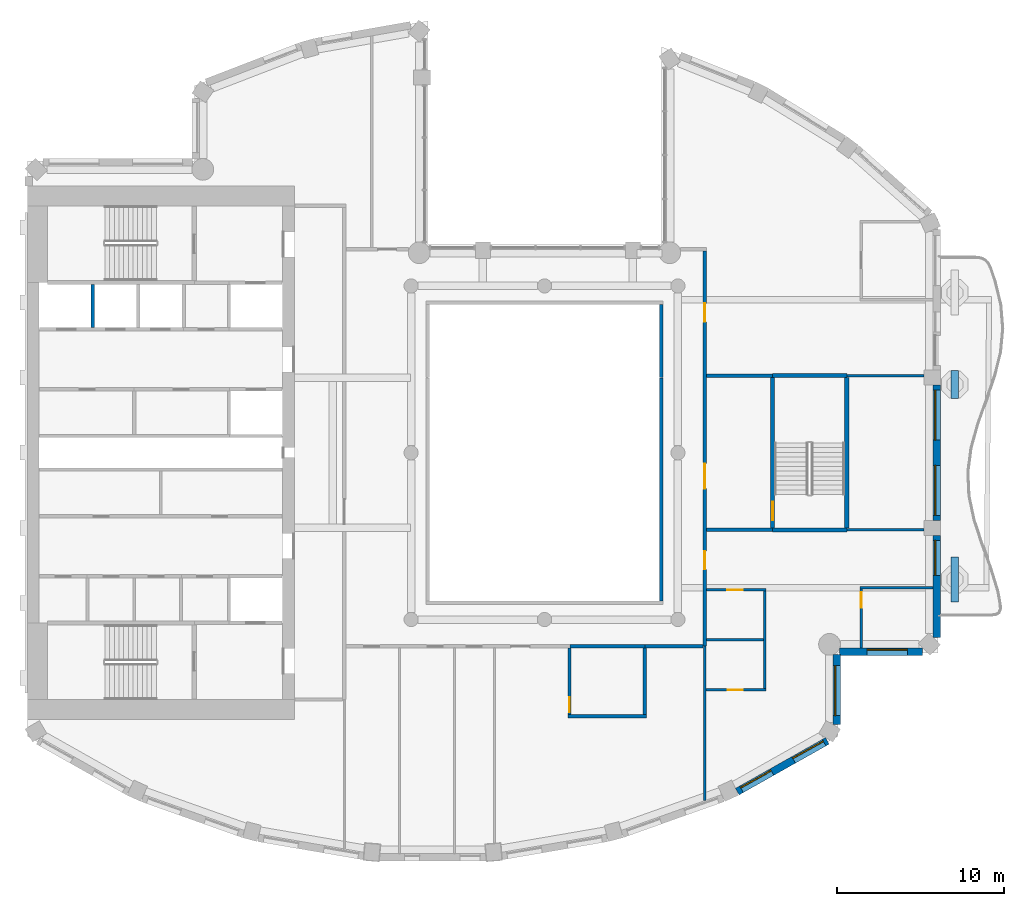
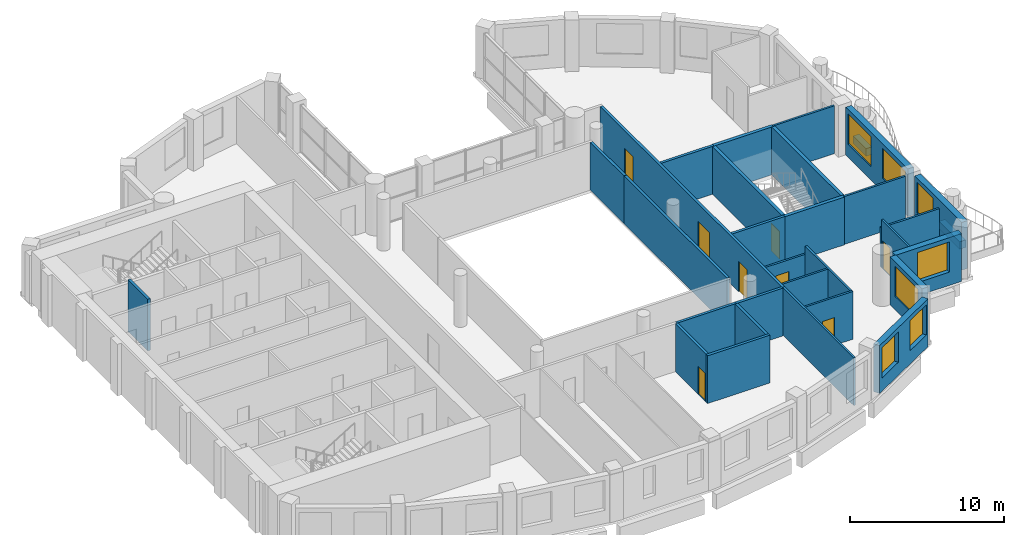
# One storey, part 6 of 14: 31 walls, 8 doors, 7 windows, 15 openings.
"""IFC4 building model written with IfcOpenShell, lengths in metres."""

from ifc_helpers import new_model, si_unit, direction, frame, frame_2d, origin, place, context, subcontext, project, spatial, rectangle, extrude, material, layer, layer_set, type_object, element, fill, save


model = new_model("IFC4")

# Units and contexts
model_context = context("Model", 3, precision=1e-05, world=origin(), true_north=direction((0.0, 1.0)))
body_context = subcontext(model_context, "Body", "Model", "MODEL_VIEW")
ifc_project = project(units=[si_unit("LENGTHUNIT", "METRE"), si_unit("AREAUNIT", "SQUARE_METRE"), si_unit("VOLUMEUNIT", "CUBIC_METRE"), si_unit("PLANEANGLEUNIT", "RADIAN"), si_unit("MASSUNIT", "GRAM", prefix="KILO")], contexts=[model_context])

# Site, building, storey
site_placement = place(None, origin())
site = spatial("IfcSite", under=ifc_project, at=site_placement, CompositionType="ELEMENT")
building_placement = place(site_placement, origin())
building = spatial("IfcBuilding", under=site, at=building_placement, Name="Cypress Arch Tower", CompositionType="ELEMENT")
storey_placement = place(building_placement, frame((0.0, 0.0, 296.699951171875)))
storey = spatial("IfcBuildingStorey", under=building, at=storey_placement, Name="L67", CompositionType="ELEMENT", Elevation=296.699951171875)

# Walls
ifc_material_1 = material(Name="Concrete C40/50, waterproofed", Category="concrete")
ifc_layer_1 = layer(ifc_material_1, 0.449951171875)
ifc_layer_set_1 = layer_set([ifc_layer_1], Name="Balcony planter wall PW450")
wall_type_1 = type_object("IfcWallType", Name="Balcony planter wall PW450", PredefinedType="SOLIDWALL", material=ifc_layer_set_1)
wall_1_placement = place(storey_placement, frame((25.60009765625, -8.949951171875, 0.0), z_axis=(0.0, 0.0, 1.0), x_axis=(0.0, 1.0, 0.0)))
element("IfcWall", 1, at=wall_1_placement, inside=storey, type_object=wall_type_1, Name="Balcony planter wall L67-C17.1", PredefinedType="SOLIDWALL", context=body_context, shape_type="SweptSolid", body=[
    extrude(rectangle(XDim=2.699951171875, YDim=0.449951171875, at=frame_2d((1.35009765625, 0.0))), origin(), (0.0, 0.0, 1.0), 0.60009765625),
])
wall_2_placement = place(storey_placement, frame((25.60009765625, 3.25, 0.0), z_axis=(0.0, 0.0, 1.0), x_axis=(0.0, 1.0, 0.0)))
element("IfcWall", 2, at=wall_2_placement, inside=storey, type_object=wall_type_1, Name="Balcony planter wall L67-C17.2", PredefinedType="SOLIDWALL", context=body_context, shape_type="SweptSolid", body=[
    extrude(rectangle(XDim=1.69140625, YDim=0.449951171875, at=frame_2d((0.845703125, 0.0))), origin(), (0.0, 0.0, 1.0), 0.60009765625),
])

# Wall, openings, windows
ifc_material_2 = material(Name="Brick (red buff blend)", Category="masonry")
ifc_layer_2 = layer(ifc_material_2, 0.449951171875)
ifc_layer_set_2 = layer_set([ifc_layer_2], Name="Brick pier and spandrel wall BW450")
wall_type_2 = type_object("IfcWallType", Name="Brick pier and spandrel wall BW450", PredefinedType="SOLIDWALL", material=ifc_layer_set_2)
wall_3_placement = place(storey_placement, frame((12.55908203125, -20.320068359375, 0.0), z_axis=(0.0, 0.0, 1.0), x_axis=(0.871065783524, 0.491166367714, 0.0)))
wall_3 = element("IfcWall", 3, at=wall_3_placement, inside=storey, type_object=wall_type_2, Name="Brick wall L67 C14.0", PredefinedType="SOLIDWALL", context=body_context, shape_type="SweptSolid", body=[
    extrude(rectangle(XDim=6.1962890625, YDim=0.449951171875, at=frame_2d((3.09814453125, 0.0))), origin(), (0.0, 0.0, 1.0), 3.800048828125),
])
opening_1_placement = place(wall_3_placement, frame((0.29052734375, 0.0, 1.050048828125)))
opening_1 = element("IfcOpeningElement", 4, at=opening_1_placement, cuts=wall_3, Name="Opening W210O", PredefinedType="OPENING", context=body_context, shape_type="SweptSolid", body=[
    extrude(rectangle(XDim=2.10009765625, YDim=2.39990234375, at=frame_2d((1.050048828125, 1.199951171875))), frame((0.0, 0.23486328125, 0.0), z_axis=(0.0, -1.0, 0.0), x_axis=(1.0, 0.0, 0.0)), (0.0, 0.0, 1.0), 0.469970703125),
])
opening_2_placement = place(wall_3_placement, frame((3.875244140625, 0.0, 1.050048828125)))
opening_2 = element("IfcOpeningElement", 5, at=opening_2_placement, cuts=wall_3, Name="Opening W210O", PredefinedType="OPENING", context=body_context, shape_type="SweptSolid", body=[
    extrude(rectangle(XDim=2.10009765625, YDim=2.39990234375, at=frame_2d((1.050048828125, 1.199951171875))), frame((0.0, 0.23486328125, 0.0), z_axis=(0.0, -1.0, 0.0), x_axis=(1.0, 0.0, 0.0)), (0.0, 0.0, 1.0), 0.469970703125),
])
ifc_material_3 = material(Name="Anodised aluminium, bronze finish, clear low-emissivity double glazing", Category="aluminium")
window_type_1 = type_object("IfcWindowType", Name="Window Office 2100x2400", PartitioningType="SINGLE_PANEL", PredefinedType="WINDOW", material=ifc_material_3)
window_1_placement = place(opening_1_placement, origin())
window_1 = element("IfcWindow", 6, at=window_1_placement, inside=storey, type_object=window_type_1, Name="Window L67 C14.0.1", OverallHeight=2.39990234375, OverallWidth=2.10009765625, PartitioningType="SINGLE_PANEL", PredefinedType="WINDOW", context=body_context, shape_type="SweptSolid", body=[
    extrude(rectangle(XDim=2.10009765625, YDim=2.39990234375, at=frame_2d((1.050048828125, 1.199951171875))), frame((0.0, 0.135009765625, 0.0), z_axis=(0.0, -1.0, 0.0), x_axis=(1.0, 0.0, 0.0)), (0.0, 0.0, 1.0), 0.06005859375),
])
fill(opening_1, window_1)
window_2_placement = place(opening_2_placement, origin())
window_2 = element("IfcWindow", 7, at=window_2_placement, inside=storey, type_object=window_type_1, Name="Window L67 C14.0.2", OverallHeight=2.39990234375, OverallWidth=2.10009765625, PartitioningType="SINGLE_PANEL", PredefinedType="WINDOW", context=body_context, shape_type="SweptSolid", body=[
    extrude(rectangle(XDim=2.10009765625, YDim=2.39990234375, at=frame_2d((1.050048828125, 1.199951171875))), frame((0.0, 0.135009765625, 0.0), z_axis=(0.0, -1.0, 0.0), x_axis=(1.0, 0.0, 0.0)), (0.0, 0.0, 1.0), 0.06005859375),
])
fill(opening_2, window_2)

# Wall, opening, window
wall_4_placement = place(storey_placement, frame((18.52490234375, -16.3037109375, 0.0), z_axis=(0.0, 0.0, 1.0), x_axis=(0.0, 1.0, 0.0)))
wall_4 = element("IfcWall", 8, at=wall_4_placement, inside=storey, type_object=wall_type_2, Name="Brick wall L67 C15.0", PredefinedType="SOLIDWALL", context=body_context, shape_type="SweptSolid", body=[
    extrude(rectangle(XDim=4.2021484375, YDim=0.449951171875, at=frame_2d((2.10107421875, 0.0))), origin(), (0.0, 0.0, 1.0), 3.800048828125),
])
opening_3_placement = place(wall_4_placement, frame((0.541259765625, 0.0, 1.050048828125)))
opening_3 = element("IfcOpeningElement", 9, at=opening_3_placement, cuts=wall_4, Name="Opening W300O", PredefinedType="OPENING", context=body_context, shape_type="SweptSolid", body=[
    extrude(rectangle(XDim=3.0, YDim=2.39990234375, at=frame_2d((1.5, 1.199951171875))), frame((0.0, 0.23486328125, 0.0), z_axis=(0.0, -1.0, 0.0), x_axis=(1.0, 0.0, 0.0)), (0.0, 0.0, 1.0), 0.469970703125),
])
ifc_material_4 = material(Name="Anodised aluminium, bronze finish, clear low-emissivity double glazing", Category="aluminium")
window_type_2 = type_object("IfcWindowType", Name="Window Office 3000x2400", PartitioningType="SINGLE_PANEL", PredefinedType="WINDOW", material=ifc_material_4)
window_3_placement = place(opening_3_placement, origin())
window_3 = element("IfcWindow", 10, at=window_3_placement, inside=storey, type_object=window_type_2, Name="Window L67 C15.0.1", OverallHeight=2.39990234375, OverallWidth=3.0, PartitioningType="SINGLE_PANEL", PredefinedType="WINDOW", context=body_context, shape_type="SweptSolid", body=[
    extrude(rectangle(XDim=3.0, YDim=2.39990234375, at=frame_2d((1.5, 1.199951171875))), frame((0.0, 0.135009765625, 0.0), z_axis=(0.0, -1.0, 0.0), x_axis=(1.0, 0.0, 0.0)), (0.0, 0.0, 1.0), 0.06005859375),
])
fill(opening_3, window_3)

wall_5_placement = place(storey_placement, frame((18.701416015625, -11.925048828125, 0.0), z_axis=(0.0, 0.0, 1.0), x_axis=(1.0, 0.0, 0.0)))
wall_5 = element("IfcWall", 11, at=wall_5_placement, inside=storey, type_object=wall_type_2, Name="Brick wall L67 C16.0", PredefinedType="SOLIDWALL", context=body_context, shape_type="SweptSolid", body=[
    extrude(rectangle(XDim=4.962158203125, YDim=0.449951171875, at=frame_2d((2.48095703125, 0.0))), origin(), (0.0, 0.0, 1.0), 3.800048828125),
])
opening_4_placement = place(wall_5_placement, frame((1.6484375, 0.0, 1.050048828125)))
opening_4 = element("IfcOpeningElement", 12, at=opening_4_placement, cuts=wall_5, Name="Opening W240O", PredefinedType="OPENING", context=body_context, shape_type="SweptSolid", body=[
    extrude(rectangle(XDim=2.39990234375, YDim=2.39990234375, at=frame_2d((1.199951171875, 1.199951171875))), frame((0.0, 0.23486328125, 0.0), z_axis=(0.0, -1.0, 0.0), x_axis=(1.0, 0.0, 0.0)), (0.0, 0.0, 1.0), 0.469970703125),
])
ifc_material_5 = material(Name="Anodised aluminium, bronze finish, clear low-emissivity double glazing", Category="aluminium")
window_type_3 = type_object("IfcWindowType", Name="Window Office 2400x2400", PartitioningType="SINGLE_PANEL", PredefinedType="WINDOW", material=ifc_material_5)
window_4_placement = place(opening_4_placement, origin())
window_4 = element("IfcWindow", 13, at=window_4_placement, inside=storey, type_object=window_type_3, Name="Window L67 C16.0.1", OverallHeight=2.39990234375, OverallWidth=2.39990234375, PartitioningType="SINGLE_PANEL", PredefinedType="WINDOW", context=body_context, shape_type="SweptSolid", body=[
    extrude(rectangle(XDim=2.39990234375, YDim=2.39990234375, at=frame_2d((1.199951171875, 1.199951171875))), frame((0.0, 0.135009765625, 0.0), z_axis=(0.0, -1.0, 0.0), x_axis=(1.0, 0.0, 0.0)), (0.0, 0.0, 1.0), 0.06005859375),
])
fill(opening_4, window_4)

wall_6_placement = place(storey_placement, frame((24.52490234375, -11.063720703125, 0.0), z_axis=(0.0, 0.0, 1.0), x_axis=(0.0, 1.0, 0.0)))
wall_6 = element("IfcWall", 14, at=wall_6_placement, inside=storey, type_object=wall_type_2, Name="Brick wall L67 C17.0", PredefinedType="SOLIDWALL", context=body_context, shape_type="SweptSolid", body=[
    extrude(rectangle(XDim=6.11376953125, YDim=0.449951171875, at=frame_2d((3.056884765625, 0.0))), origin(), (0.0, 0.0, 1.0), 3.800048828125),
])
opening_5_placement = place(wall_6_placement, frame((3.713623046875, 0.0, 1.050048828125)))
opening_5 = element("IfcOpeningElement", 15, at=opening_5_placement, cuts=wall_6, Name="Opening W210OD", PredefinedType="OPENING", context=body_context, shape_type="SweptSolid", body=[
    extrude(rectangle(XDim=2.10009765625, YDim=2.39990234375, at=frame_2d((1.050048828125, 1.199951171875))), frame((0.0, 0.23486328125, 0.0), z_axis=(0.0, -1.0, 0.0), x_axis=(1.0, 0.0, 0.0)), (0.0, 0.0, 1.0), 0.469970703125),
])
ifc_material_6 = material(Name="Anodised aluminium, bronze finish, laminated low-emissivity double glazing, large-missile impact rated", Category="aluminium")
window_type_4 = type_object("IfcWindowType", Name="Window Office 2100x2400 debris-rated", PartitioningType="SINGLE_PANEL", PredefinedType="WINDOW", material=ifc_material_6)
window_5_placement = place(opening_5_placement, origin())
window_5 = element("IfcWindow", 16, at=window_5_placement, inside=storey, type_object=window_type_4, Name="Window L67 C17.0.2", OverallHeight=2.39990234375, OverallWidth=2.10009765625, PartitioningType="SINGLE_PANEL", PredefinedType="WINDOW", context=body_context, shape_type="SweptSolid", body=[
    extrude(rectangle(XDim=2.10009765625, YDim=2.39990234375, at=frame_2d((1.050048828125, 1.199951171875))), frame((0.0, 0.135009765625, 0.0), z_axis=(0.0, -1.0, 0.0), x_axis=(1.0, 0.0, 0.0)), (0.0, 0.0, 1.0), 0.06005859375),
])
fill(opening_5, window_5)

# Wall, openings, windows
wall_7_placement = place(storey_placement, frame((24.52490234375, -4.050048828125, 0.0), z_axis=(0.0, 0.0, 1.0), x_axis=(0.0, 1.0, 0.0)))
wall_7 = element("IfcWall", 17, at=wall_7_placement, inside=storey, type_object=wall_type_2, Name="Brick wall L67 C17.1", PredefinedType="SOLIDWALL", context=body_context, shape_type="SweptSolid", body=[
    extrude(rectangle(XDim=8.10009765625, YDim=0.449951171875, at=frame_2d((4.050048828125, 0.0))), origin(), (0.0, 0.0, 1.0), 3.800048828125),
])
opening_6_placement = place(wall_7_placement, frame((0.300048828125, 0.0, 1.050048828125)))
opening_6 = element("IfcOpeningElement", 18, at=opening_6_placement, cuts=wall_7, Name="Opening W300OD", PredefinedType="OPENING", context=body_context, shape_type="SweptSolid", body=[
    extrude(rectangle(XDim=3.0, YDim=2.39990234375, at=frame_2d((1.5, 1.199951171875))), frame((0.0, 0.23486328125, 0.0), z_axis=(0.0, -1.0, 0.0), x_axis=(1.0, 0.0, 0.0)), (0.0, 0.0, 1.0), 0.469970703125),
])
opening_7_placement = place(wall_7_placement, frame((4.800048828125, 0.0, 1.050048828125)))
opening_7 = element("IfcOpeningElement", 19, at=opening_7_placement, cuts=wall_7, Name="Opening W300OD", PredefinedType="OPENING", context=body_context, shape_type="SweptSolid", body=[
    extrude(rectangle(XDim=3.0, YDim=2.39990234375, at=frame_2d((1.5, 1.199951171875))), frame((0.0, 0.23486328125, 0.0), z_axis=(0.0, -1.0, 0.0), x_axis=(1.0, 0.0, 0.0)), (0.0, 0.0, 1.0), 0.469970703125),
])
ifc_material_7 = material(Name="Anodised aluminium, bronze finish, laminated low-emissivity double glazing, large-missile impact rated", Category="aluminium")
window_type_5 = type_object("IfcWindowType", Name="Window Office 3000x2400 debris-rated", PartitioningType="SINGLE_PANEL", PredefinedType="WINDOW", material=ifc_material_7)
window_6_placement = place(opening_6_placement, origin())
window_6 = element("IfcWindow", 20, at=window_6_placement, inside=storey, type_object=window_type_5, Name="Window L67 C17.1.1", OverallHeight=2.39990234375, OverallWidth=3.0, PartitioningType="SINGLE_PANEL", PredefinedType="WINDOW", context=body_context, shape_type="SweptSolid", body=[
    extrude(rectangle(XDim=3.0, YDim=2.39990234375, at=frame_2d((1.5, 1.199951171875))), frame((0.0, 0.135009765625, 0.0), z_axis=(0.0, -1.0, 0.0), x_axis=(1.0, 0.0, 0.0)), (0.0, 0.0, 1.0), 0.06005859375),
])
fill(opening_6, window_6)
window_7_placement = place(opening_7_placement, origin())
window_7 = element("IfcWindow", 21, at=window_7_placement, inside=storey, type_object=window_type_5, Name="Window L67 C17.1.2", OverallHeight=2.39990234375, OverallWidth=3.0, PartitioningType="SINGLE_PANEL", PredefinedType="WINDOW", context=body_context, shape_type="SweptSolid", body=[
    extrude(rectangle(XDim=3.0, YDim=2.39990234375, at=frame_2d((1.5, 1.199951171875))), frame((0.0, 0.135009765625, 0.0), z_axis=(0.0, -1.0, 0.0), x_axis=(1.0, 0.0, 0.0)), (0.0, 0.0, 1.0), 0.06005859375),
])
fill(opening_7, window_7)

# Walls
ifc_material_8 = material(Name="Concrete blockwork, plastered, rated", Category="masonry")
ifc_layer_3 = layer(ifc_material_8, 0.199951171875)
ifc_layer_set_3 = layer_set([ifc_layer_3], Name="Corridor wall FW200")
wall_type_3 = type_object("IfcWallType", Name="Corridor wall FW200", PredefinedType="PARTITIONING", material=ifc_layer_set_3)
wall_8_placement = place(storey_placement, frame((7.02099609375, -11.60009765625, 0.0), z_axis=(0.0, 0.0, 1.0), x_axis=(1.0, 0.0, 0.0)))
element("IfcWall", 22, at=wall_8_placement, inside=storey, type_object=wall_type_3, Name="Corridor wall", PredefinedType="PARTITIONING", context=body_context, shape_type="SweptSolid", body=[
    extrude(rectangle(XDim=3.47900390625, YDim=0.199951171875, at=frame_2d((1.739501953125, 0.0))), origin(), (0.0, 0.0, 1.0), 3.800048828125),
])
wall_9_placement = place(storey_placement, frame((8.0, -8.89990234375, 0.0), z_axis=(0.0, 0.0, 1.0), x_axis=(0.0, 1.0, 0.0)))
element("IfcWall", 23, at=wall_9_placement, inside=storey, type_object=wall_type_3, Name="Corridor wall", PredefinedType="PARTITIONING", context=body_context, shape_type="SweptSolid", body=[
    extrude(rectangle(XDim=13.3798828125, YDim=0.199951171875, at=frame_2d((6.68994140625, 0.0))), origin(), (0.0, 0.0, 1.0), 3.800048828125),
])
wall_10_placement = place(storey_placement, frame((8.0, 4.52001953125, 0.0), z_axis=(0.0, 0.0, 1.0), x_axis=(0.0, 1.0, 0.0)))
element("IfcWall", 24, at=wall_10_placement, inside=storey, type_object=wall_type_3, Name="Corridor wall", PredefinedType="PARTITIONING", context=body_context, shape_type="SweptSolid", body=[
    extrude(rectangle(XDim=4.3798828125, YDim=0.199951171875, at=frame_2d((2.18994140625, 0.0))), origin(), (0.0, 0.0, 1.0), 3.800048828125),
])

# Wall, openings, doors
wall_11_placement = place(storey_placement, frame((10.60009765625, -11.60009765625, 0.0), z_axis=(0.0, 0.0, 1.0), x_axis=(0.0, 1.0, 0.0)))
wall_11 = element("IfcWall", 25, at=wall_11_placement, inside=storey, type_object=wall_type_3, Name="Corridor wall", PredefinedType="PARTITIONING", context=body_context, shape_type="SweptSolid", body=[
    extrude(rectangle(XDim=23.7001953125, YDim=0.199951171875, at=frame_2d((11.85009765625, 0.0))), origin(), (0.0, 0.0, 1.0), 3.800048828125),
])
opening_8_placement = place(wall_11_placement, frame((9.449951171875, 0.0, 0.0)))
opening_8 = element("IfcOpeningElement", 26, at=opening_8_placement, cuts=wall_11, Name="Opening D07", PredefinedType="OPENING", context=body_context, shape_type="SweptSolid", body=[
    extrude(rectangle(XDim=1.5, YDim=2.39990234375, at=frame_2d((0.75, 1.199951171875))), frame((0.0, 0.10986328125, 0.0), z_axis=(0.0, -1.0, 0.0), x_axis=(1.0, 0.0, 0.0)), (0.0, 0.0, 1.0), 0.219970703125),
])
opening_9_placement = place(wall_11_placement, frame((19.449951171875, 0.0, 0.0)))
opening_9 = element("IfcOpeningElement", 27, at=opening_9_placement, cuts=wall_11, Name="Opening D01", PredefinedType="OPENING", context=body_context, shape_type="SweptSolid", body=[
    extrude(rectangle(XDim=1.10009765625, YDim=2.39990234375, at=frame_2d((0.550048828125, 1.199951171875))), frame((0.0, 0.10986328125, 0.0), z_axis=(0.0, -1.0, 0.0), x_axis=(1.0, 0.0, 0.0)), (0.0, 0.0, 1.0), 0.219970703125),
])
opening_10_placement = place(wall_11_placement, frame((4.60009765625, 0.0, 0.0)))
opening_10 = element("IfcOpeningElement", 28, at=opening_10_placement, cuts=wall_11, Name="Opening D01", PredefinedType="OPENING", context=body_context, shape_type="SweptSolid", body=[
    extrude(rectangle(XDim=1.10009765625, YDim=2.39990234375, at=frame_2d((0.550048828125, 1.199951171875))), frame((0.0, 0.10986328125, 0.0), z_axis=(0.0, -1.0, 0.0), x_axis=(1.0, 0.0, 0.0)), (0.0, 0.0, 1.0), 0.219970703125),
])
ifc_material_9 = material(Name="Steel framed glazed door, fire resisting", Category="steel")
door_type_1 = type_object("IfcDoorType", Name="Lobby door D07 1500x2400", OperationType="DOUBLE_DOOR_SINGLE_SWING", PredefinedType="DOOR", material=ifc_material_9)
door_1_placement = place(opening_8_placement, origin())
door_1 = element("IfcDoor", 29, at=door_1_placement, inside=storey, type_object=door_type_1, Name="Lobby door", OperationType="DOUBLE_DOOR_SINGLE_SWING", OverallHeight=2.39990234375, OverallWidth=1.5, PredefinedType="DOOR", context=body_context, shape_type="SweptSolid", body=[
    extrude(rectangle(XDim=1.5, YDim=2.39990234375, at=frame_2d((0.75, 1.199951171875))), frame((0.0, 0.02490234375, 0.0), z_axis=(0.0, -1.0, 0.0), x_axis=(1.0, 0.0, 0.0)), (0.0, 0.0, 1.0), 0.050048828125),
])
fill(opening_8, door_1)
ifc_material_10 = material(Name="Timber flush door, fire resisting, self-closing", Category="wood")
door_type_2 = type_object("IfcDoorType", Name="Unit entrance door D01 1100x2400", OperationType="SINGLE_SWING_LEFT", PredefinedType="DOOR", material=ifc_material_10)
door_2_placement = place(opening_9_placement, origin())
door_2 = element("IfcDoor", 30, at=door_2_placement, inside=storey, type_object=door_type_2, Name="Unit entrance door", OperationType="SINGLE_SWING_LEFT", OverallHeight=2.39990234375, OverallWidth=1.10009765625, PredefinedType="DOOR", context=body_context, shape_type="SweptSolid", body=[
    extrude(rectangle(XDim=1.10009765625, YDim=2.39990234375, at=frame_2d((0.550048828125, 1.199951171875))), frame((0.0, 0.02490234375, 0.0), z_axis=(0.0, -1.0, 0.0), x_axis=(1.0, 0.0, 0.0)), (0.0, 0.0, 1.0), 0.050048828125),
])
fill(opening_9, door_2)
door_3_placement = place(opening_10_placement, origin())
door_3 = element("IfcDoor", 31, at=door_3_placement, inside=storey, type_object=door_type_2, Name="Unit entrance door", OperationType="SINGLE_SWING_RIGHT", OverallHeight=2.39990234375, OverallWidth=1.10009765625, PredefinedType="DOOR", context=body_context, shape_type="SweptSolid", body=[
    extrude(rectangle(XDim=1.10009765625, YDim=2.39990234375, at=frame_2d((0.550048828125, 1.199951171875))), frame((0.0, 0.02490234375, 0.0), z_axis=(0.0, -1.0, 0.0), x_axis=(1.0, 0.0, 0.0)), (0.0, 0.0, 1.0), 0.050048828125),
])
fill(opening_10, door_3)

# Walls
for number, where, z_axis, x_axis, name in (
    (32, (10.699951171875, -4.625, 0.0), (0.0, 0.0, 1.0), (1.0, 0.0, 0.0), "Corridor wall"),
    (33, (10.699951171875, 4.625, 0.0), (0.0, 0.0, 1.0), (1.0, 0.0, 0.0), "Corridor wall"),
):
    element("IfcWall", number, at=place(storey_placement, frame(where, z_axis=z_axis, x_axis=x_axis)), inside=storey, type_object=wall_type_3, Name=name, PredefinedType="PARTITIONING", context=body_context, shape_type="SweptSolid", body=[
        extrude(rectangle(XDim=3.97509765625, YDim=0.199951171875, at=frame_2d((1.987548828125, 0.0))), origin(), (0.0, 0.0, 1.0), 3.800048828125),
    ])
ifc_material_11 = material(Name="Blockwork, plastered both sides", Category="masonry")
ifc_layer_4 = layer(ifc_material_11, 0.14990234375)
ifc_layer_set_4 = layer_set([ifc_layer_4], Name="Partition PW150")
wall_type_4 = type_object("IfcWallType", Name="Partition PW150", PredefinedType="PARTITIONING", material=ifc_layer_set_4)
wall_12_placement = place(storey_placement, frame((10.60009765625, -20.864013671875, 0.0), z_axis=(0.0, 0.0, 1.0), x_axis=(0.0, 1.0, 0.0)))
element("IfcWall", 34, at=wall_12_placement, inside=storey, type_object=wall_type_4, Name="Partition", PredefinedType="PARTITIONING", context=body_context, shape_type="SweptSolid", body=[
    extrude(rectangle(XDim=9.263916015625, YDim=0.14990234375, at=frame_2d((4.6318359375, 0.0))), origin(), (0.0, 0.0, 1.0), 3.800048828125),
])

# Wall, opening, door
wall_13_placement = place(storey_placement, frame((10.675048828125, -14.22509765625, 0.0), z_axis=(0.0, 0.0, 1.0), x_axis=(1.0, 0.0, 0.0)))
wall_13 = element("IfcWall", 35, at=wall_13_placement, inside=storey, type_object=wall_type_4, Name="Partition", PredefinedType="PARTITIONING", context=body_context, shape_type="SweptSolid", body=[
    extrude(rectangle(XDim=3.599853515625, YDim=0.14990234375, at=frame_2d((1.7998046875, 0.0))), origin(), (0.0, 0.0, 1.0), 3.800048828125),
])
opening_11_placement = place(wall_13_placement, frame((1.300048828125, 0.0, 0.0)))
opening_11 = element("IfcOpeningElement", 36, at=opening_11_placement, cuts=wall_13, Name="Opening D05", PredefinedType="OPENING", context=body_context, shape_type="SweptSolid", body=[
    extrude(rectangle(XDim=0.89990234375, YDim=2.199951171875, at=frame_2d((0.449951171875, 1.10009765625))), frame((0.0, 0.0849609375, 0.0), z_axis=(0.0, -1.0, 0.0), x_axis=(1.0, 0.0, 0.0)), (0.0, 0.0, 1.0), 0.169921875),
])
ifc_material_12 = material(Name="Timber flush door", Category="wood")
door_type_3 = type_object("IfcDoorType", Name="Service door D05 900x2200", OperationType="SINGLE_SWING_LEFT", PredefinedType="DOOR", material=ifc_material_12)
door_4_placement = place(opening_11_placement, origin())
door_4 = element("IfcDoor", 37, at=door_4_placement, inside=storey, type_object=door_type_3, Name="Service door", OperationType="SINGLE_SWING_RIGHT", OverallHeight=2.199951171875, OverallWidth=0.89990234375, PredefinedType="DOOR", context=body_context, shape_type="SweptSolid", body=[
    extrude(rectangle(XDim=0.89990234375, YDim=2.199951171875, at=frame_2d((0.449951171875, 1.10009765625))), frame((0.0, 0.02490234375, 0.0), z_axis=(0.0, -1.0, 0.0), x_axis=(1.0, 0.0, 0.0)), (0.0, 0.0, 1.0), 0.050048828125),
])
fill(opening_11, door_4)

# Wall
wall_14_placement = place(storey_placement, frame((10.699951171875, -11.22509765625, 0.0), z_axis=(0.0, 0.0, 1.0), x_axis=(1.0, 0.0, 0.0)))
element("IfcWall", 38, at=wall_14_placement, inside=storey, type_object=wall_type_4, Name="Partition", PredefinedType="PARTITIONING", context=body_context, shape_type="SweptSolid", body=[
    extrude(rectangle(XDim=3.425048828125, YDim=0.14990234375, at=frame_2d((1.71240234375, 0.0))), origin(), (0.0, 0.0, 1.0), 3.800048828125),
])

# Wall, opening, door
wall_15_placement = place(storey_placement, frame((10.699951171875, -8.22509765625, 0.0), z_axis=(0.0, 0.0, 1.0), x_axis=(1.0, 0.0, 0.0)))
wall_15 = element("IfcWall", 39, at=wall_15_placement, inside=storey, type_object=wall_type_4, Name="Partition", PredefinedType="PARTITIONING", context=body_context, shape_type="SweptSolid", body=[
    extrude(rectangle(XDim=3.574951171875, YDim=0.14990234375, at=frame_2d((1.78759765625, 0.0))), origin(), (0.0, 0.0, 1.0), 3.150146484375),
])
opening_12_placement = place(wall_15_placement, frame((1.25, 0.0, 0.0)))
opening_12 = element("IfcOpeningElement", 40, at=opening_12_placement, cuts=wall_15, Name="Opening D12", PredefinedType="OPENING", context=body_context, shape_type="SweptSolid", body=[
    extrude(rectangle(XDim=0.949951171875, YDim=2.199951171875, at=frame_2d((0.47509765625, 1.10009765625))), frame((0.0, 0.0849609375, 0.0), z_axis=(0.0, -1.0, 0.0), x_axis=(1.0, 0.0, 0.0)), (0.0, 0.0, 1.0), 0.169921875),
])
ifc_material_13 = material(Name="Timber flush door", Category="wood")
door_type_4 = type_object("IfcDoorType", Name="Room door D12 950x2200", OperationType="SINGLE_SWING_LEFT", PredefinedType="DOOR", material=ifc_material_13)
door_5_placement = place(opening_12_placement, origin())
door_5 = element("IfcDoor", 41, at=door_5_placement, inside=storey, type_object=door_type_4, Name="Room door", OperationType="SINGLE_SWING_LEFT", OverallHeight=2.199951171875, OverallWidth=0.949951171875, PredefinedType="DOOR", context=body_context, shape_type="SweptSolid", body=[
    extrude(rectangle(XDim=0.949951171875, YDim=2.199951171875, at=frame_2d((0.47509765625, 1.10009765625))), frame((0.0, 0.02490234375, 0.0), z_axis=(0.0, -1.0, 0.0), x_axis=(1.0, 0.0, 0.0)), (0.0, 0.0, 1.0), 0.050048828125),
])
fill(opening_12, door_5)

# Walls
wall_16_placement = place(storey_placement, frame((14.199951171875, -14.14990234375, 0.0), z_axis=(0.0, 0.0, 1.0), x_axis=(0.0, 1.0, 0.0)))
element("IfcWall", 42, at=wall_16_placement, inside=storey, type_object=wall_type_4, Name="Partition", PredefinedType="PARTITIONING", context=body_context, shape_type="SweptSolid", body=[
    extrude(rectangle(XDim=5.849853515625, YDim=0.14990234375, at=frame_2d((2.9248046875, 0.0))), origin(), (0.0, 0.0, 1.0), 3.800048828125),
])
for number, where, z_axis, x_axis, name in (
    (43, (19.14501953125, -4.625, 0.0), (0.0, 0.0, 1.0), (1.0, 0.0, 0.0), "Partition"),
    (44, (19.14501953125, 4.625, 0.0), (0.0, 0.0, 1.0), (1.0, 0.0, 0.0), "Partition"),
):
    element("IfcWall", number, at=place(storey_placement, frame(where, z_axis=z_axis, x_axis=x_axis)), inside=storey, type_object=wall_type_4, Name=name, PredefinedType="PARTITIONING", context=body_context, shape_type="SweptSolid", body=[
        extrude(rectangle(XDim=4.60498046875, YDim=0.14990234375, at=frame_2d((2.302490234375, 0.0))), origin(), (0.0, 0.0, 1.0), 3.800048828125),
    ])

# Wall, opening, door
wall_17_placement = place(storey_placement, frame((20.0, -11.699951171875, 0.0), z_axis=(0.0, 0.0, 1.0), x_axis=(0.0, 1.0, 0.0)))
wall_17 = element("IfcWall", 45, at=wall_17_placement, inside=storey, type_object=wall_type_4, Name="Partition", PredefinedType="PARTITIONING", context=body_context, shape_type="SweptSolid", body=[
    extrude(rectangle(XDim=3.52490234375, YDim=0.14990234375, at=frame_2d((1.762451171875, 0.0))), origin(), (0.0, 0.0, 1.0), 3.800048828125),
])
opening_13_placement = place(wall_17_placement, frame((2.39990234375, 0.0, 0.0)))
opening_13 = element("IfcOpeningElement", 46, at=opening_13_placement, cuts=wall_17, Name="Opening D12", PredefinedType="OPENING", context=body_context, shape_type="SweptSolid", body=[
    extrude(rectangle(XDim=0.949951171875, YDim=2.199951171875, at=frame_2d((0.47509765625, 1.10009765625))), frame((0.0, 0.0849609375, 0.0), z_axis=(0.0, -1.0, 0.0), x_axis=(1.0, 0.0, 0.0)), (0.0, 0.0, 1.0), 0.169921875),
])
door_6_placement = place(opening_13_placement, origin())
door_6 = element("IfcDoor", 47, at=door_6_placement, inside=storey, type_object=door_type_4, Name="Room door", OperationType="SINGLE_SWING_RIGHT", OverallHeight=2.199951171875, OverallWidth=0.949951171875, PredefinedType="DOOR", context=body_context, shape_type="SweptSolid", body=[
    extrude(rectangle(XDim=0.949951171875, YDim=2.199951171875, at=frame_2d((0.47509765625, 1.10009765625))), frame((0.0, 0.02490234375, 0.0), z_axis=(0.0, -1.0, 0.0), x_axis=(1.0, 0.0, 0.0)), (0.0, 0.0, 1.0), 0.050048828125),
])
fill(opening_13, door_6)

# Walls
wall_18_placement = place(storey_placement, frame((19.925048828125, -8.10009765625, 0.0), z_axis=(0.0, 0.0, 1.0), x_axis=(1.0, 0.0, 0.0)))
element("IfcWall", 48, at=wall_18_placement, inside=storey, type_object=wall_type_4, Name="Partition", PredefinedType="PARTITIONING", context=body_context, shape_type="SweptSolid", body=[
    extrude(rectangle(XDim=4.375, YDim=0.14990234375, at=frame_2d((2.1875, 0.0))), origin(), (0.0, 0.0, 1.0), 3.150146484375),
])
ifc_material_14 = material(Name="Reinforced blockwork, plastered, rated", Category="masonry")
ifc_layer_5 = layer(ifc_material_14, 0.199951171875)
ifc_layer_set_5 = layer_set([ifc_layer_5], Name="Plant and riser wall PL200")
wall_type_5 = type_object("IfcWallType", Name="Plant and riser wall PL200", PredefinedType="PARTITIONING", material=ifc_layer_set_5)
wall_19_placement = place(storey_placement, frame((2.52099609375, -11.60009765625, 0.0), z_axis=(0.0, 0.0, 1.0), x_axis=(1.0, 0.0, 0.0)))
element("IfcWall", 49, at=wall_19_placement, inside=storey, type_object=wall_type_5, Name="Plant and riser wall", PredefinedType="PARTITIONING", context=body_context, shape_type="SweptSolid", body=[
    extrude(rectangle(XDim=4.5, YDim=0.199951171875, at=frame_2d((2.25, 0.0))), origin(), (0.0, 0.0, 1.0), 3.800048828125),
])

# Wall, opening, door
wall_20_placement = place(storey_placement, frame((2.5009765625, -15.699951171875, 0.0), z_axis=(0.0, 0.0, 1.0), x_axis=(0.0, 1.0, 0.0)))
wall_20 = element("IfcWall", 50, at=wall_20_placement, inside=storey, type_object=wall_type_5, Name="Plant and riser wall", PredefinedType="PARTITIONING", context=body_context, shape_type="SweptSolid", body=[
    extrude(rectangle(XDim=4.0, YDim=0.199951171875, at=frame_2d((2.0, 0.0))), origin(), (0.0, 0.0, 1.0), 3.800048828125),
])
opening_14_placement = place(wall_20_placement, frame((0.14990234375, 0.0, 0.0)))
opening_14 = element("IfcOpeningElement", 51, at=opening_14_placement, cuts=wall_20, Name="Opening D05", PredefinedType="OPENING", context=body_context, shape_type="SweptSolid", body=[
    extrude(rectangle(XDim=0.89990234375, YDim=2.199951171875, at=frame_2d((0.449951171875, 1.10009765625))), frame((0.0, 0.10986328125, 0.0), z_axis=(0.0, -1.0, 0.0), x_axis=(1.0, 0.0, 0.0)), (0.0, 0.0, 1.0), 0.219970703125),
])
door_7_placement = place(opening_14_placement, origin())
door_7 = element("IfcDoor", 52, at=door_7_placement, inside=storey, type_object=door_type_3, Name="Service door", OperationType="SINGLE_SWING_RIGHT", OverallHeight=2.199951171875, OverallWidth=0.89990234375, PredefinedType="DOOR", context=body_context, shape_type="SweptSolid", body=[
    extrude(rectangle(XDim=0.89990234375, YDim=2.199951171875, at=frame_2d((0.449951171875, 1.10009765625))), frame((0.0, 0.02490234375, 0.0), z_axis=(0.0, -1.0, 0.0), x_axis=(1.0, 0.0, 0.0)), (0.0, 0.0, 1.0), 0.050048828125),
])
fill(opening_14, door_7)

# Walls
wall_21_placement = place(storey_placement, frame((2.40087890625, -15.800048828125, 0.0), z_axis=(0.0, 0.0, 1.0), x_axis=(1.0, 0.0, 0.0)))
element("IfcWall", 53, at=wall_21_placement, inside=storey, type_object=wall_type_5, Name="Plant and riser wall", PredefinedType="PARTITIONING", context=body_context, shape_type="SweptSolid", body=[
    extrude(rectangle(XDim=4.7001953125, YDim=0.199951171875, at=frame_2d((2.35009765625, 0.0))), origin(), (0.0, 0.0, 1.0), 3.800048828125),
])
wall_22_placement = place(storey_placement, frame((7.0009765625, -15.699951171875, 0.0), z_axis=(0.0, 0.0, 1.0), x_axis=(0.0, 1.0, 0.0)))
element("IfcWall", 54, at=wall_22_placement, inside=storey, type_object=wall_type_5, Name="Plant and riser wall", PredefinedType="PARTITIONING", context=body_context, shape_type="SweptSolid", body=[
    extrude(rectangle(XDim=4.0, YDim=0.199951171875, at=frame_2d((2.0, 0.0))), origin(), (0.0, 0.0, 1.0), 3.800048828125),
])
ifc_material_15 = material(Name="Concrete C50/60", Category="concrete")
ifc_layer_6 = layer(ifc_material_15, 0.199951171875)
ifc_layer_set_6 = layer_set([ifc_layer_6], Name="Shaft wall SH200")
wall_type_6 = type_object("IfcWallType", Name="Shaft wall SH200", PredefinedType="SHEAR", material=ifc_layer_set_6)
wall_23_placement = place(storey_placement, frame((-26.080078125, 7.5, 0.0), z_axis=(0.0, 0.0, 1.0), x_axis=(0.0, 1.0, 0.0)))
element("IfcWall", 55, at=wall_23_placement, inside=storey, type_object=wall_type_6, Name="Shaft wall", PredefinedType="SHEAR", context=body_context, shape_type="SweptSolid", body=[
    extrude(rectangle(XDim=2.574951171875, YDim=0.199951171875, at=frame_2d((1.28759765625, 0.0))), origin(), (0.0, 0.0, 1.0), 4.10009765625),
])

# Wall, opening, door
ifc_material_16 = material(Name="Concrete C50/60", Category="concrete")
ifc_layer_7 = layer(ifc_material_16, 0.25)
ifc_layer_set_7 = layer_set([ifc_layer_7], Name="Stair enclosure wall SW250")
wall_type_7 = type_object("IfcWallType", Name="Stair enclosure wall SW250", PredefinedType="SHEAR", material=ifc_layer_set_7)
wall_24_placement = place(storey_placement, frame((14.675048828125, -4.5, 0.0), z_axis=(0.0, 0.0, 1.0), x_axis=(0.0, 1.0, 0.0)))
wall_24 = element("IfcWall", 56, at=wall_24_placement, inside=storey, type_object=wall_type_7, Name="Stair enclosure wall", PredefinedType="SHEAR", context=body_context, shape_type="SweptSolid", body=[
    extrude(rectangle(XDim=9.0, YDim=0.25, at=frame_2d((4.5, 0.0))), origin(), (0.0, 0.0, 1.0), 3.800048828125),
])
opening_15_placement = place(wall_24_placement, frame((0.449951171875, 0.0, 0.0)))
opening_15 = element("IfcOpeningElement", 57, at=opening_15_placement, cuts=wall_24, Name="Opening D06", PredefinedType="OPENING", context=body_context, shape_type="SweptSolid", body=[
    extrude(rectangle(XDim=1.10009765625, YDim=2.199951171875, at=frame_2d((0.550048828125, 1.10009765625))), frame((0.0, 0.135009765625, 0.0), z_axis=(0.0, -1.0, 0.0), x_axis=(1.0, 0.0, 0.0)), (0.0, 0.0, 1.0), 0.27001953125),
])
ifc_material_17 = material(Name="Steel door, fire resisting, panic bar", Category="steel")
door_type_5 = type_object("IfcDoorType", Name="Stair door D06 1100x2200", OperationType="SINGLE_SWING_LEFT", PredefinedType="DOOR", material=ifc_material_17)
door_8_placement = place(opening_15_placement, origin())
door_8 = element("IfcDoor", 58, at=door_8_placement, inside=storey, type_object=door_type_5, Name="Stair door", OperationType="SINGLE_SWING_RIGHT", OverallHeight=2.199951171875, OverallWidth=1.10009765625, PredefinedType="DOOR", context=body_context, shape_type="SweptSolid", body=[
    extrude(rectangle(XDim=1.10009765625, YDim=2.199951171875, at=frame_2d((0.550048828125, 1.10009765625))), frame((0.0, 0.02490234375, 0.0), z_axis=(0.0, -1.0, 0.0), x_axis=(1.0, 0.0, 0.0)), (0.0, 0.0, 1.0), 0.050048828125),
])
fill(opening_15, door_8)

# Walls
for number, where, z_axis, x_axis, name in (
    (59, (14.675048828125, -4.625, 0.0), (0.0, 0.0, 1.0), (1.0, 0.0, 0.0), "Stair enclosure wall"),
    (60, (14.675048828125, 4.625, 0.0), (0.0, 0.0, 1.0), (1.0, 0.0, 0.0), "Stair enclosure wall"),
):
    element("IfcWall", number, at=place(storey_placement, frame(where, z_axis=z_axis, x_axis=x_axis)), inside=storey, type_object=wall_type_7, Name=name, PredefinedType="SHEAR", context=body_context, shape_type="SweptSolid", body=[
        extrude(rectangle(XDim=4.449951171875, YDim=0.25, at=frame_2d((2.22509765625, 0.0))), origin(), (0.0, 0.0, 1.0), 3.800048828125),
    ])
wall_25_placement = place(storey_placement, frame((19.125, -4.5, 0.0), z_axis=(0.0, 0.0, 1.0), x_axis=(0.0, 1.0, 0.0)))
element("IfcWall", 61, at=wall_25_placement, inside=storey, type_object=wall_type_7, Name="Stair enclosure wall", PredefinedType="SHEAR", context=body_context, shape_type="SweptSolid", body=[
    extrude(rectangle(XDim=9.0, YDim=0.25, at=frame_2d((4.5, 0.0))), origin(), (0.0, 0.0, 1.0), 3.800048828125),
])

save(model, "model.ifc")
